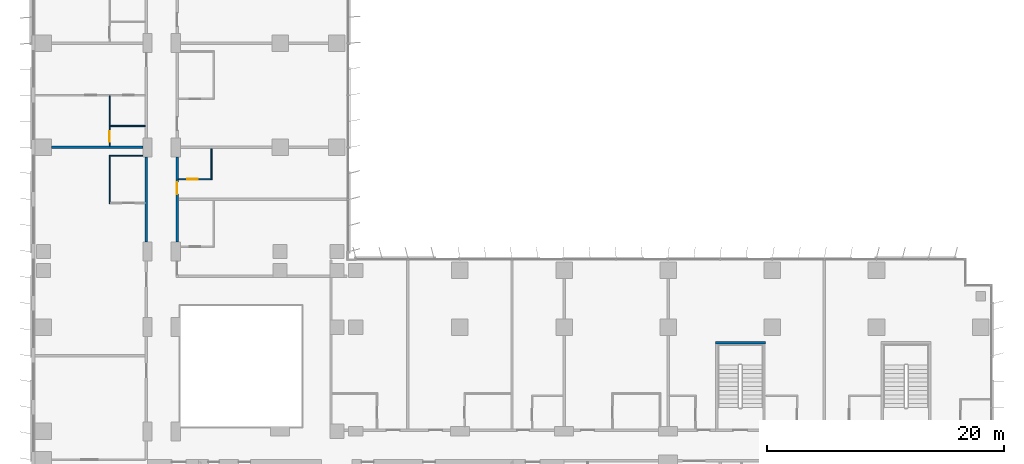
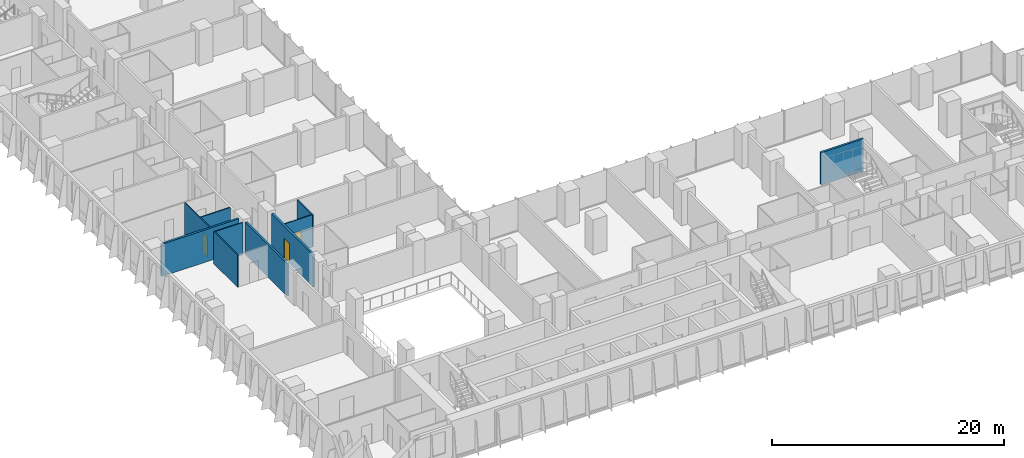
# One storey, part 15 of 24: 10 walls, 3 doors, 3 openings.
"""IFC4 building model written with IfcOpenShell, lengths in metres."""

from ifc_helpers import new_model, si_unit, direction, frame, frame_2d, origin, place, context, subcontext, project, spatial, rectangle, extrude, material, layer, layer_set, type_object, element, fill, save


model = new_model("IFC4")

# Units and contexts
model_context = context("Model", 3, precision=1e-05, world=origin(), true_north=direction((0.0, 1.0)))
body_context = subcontext(model_context, "Body", "Model", "MODEL_VIEW")
ifc_project = project(units=[si_unit("LENGTHUNIT", "METRE"), si_unit("AREAUNIT", "SQUARE_METRE"), si_unit("VOLUMEUNIT", "CUBIC_METRE"), si_unit("PLANEANGLEUNIT", "RADIAN"), si_unit("MASSUNIT", "GRAM", prefix="KILO")], contexts=[model_context])

# Site, building, storey
site_placement = place(None, origin())
site = spatial("IfcSite", under=ifc_project, at=site_placement, CompositionType="ELEMENT")
building_placement = place(site_placement, origin())
building = spatial("IfcBuilding", under=site, at=building_placement, Name="Kemantara Hotel Tower", CompositionType="ELEMENT")
storey_placement = place(building_placement, frame((0.0, 0.0, 76.0)))
storey = spatial("IfcBuildingStorey", under=building, at=storey_placement, Name="L17", CompositionType="ELEMENT", Elevation=76.0)

# Wall
ifc_material_1 = material(Name="Gypsum board partition, steel studs and mineral wool, 200 mm", Category="steel")
ifc_layer_1 = layer(ifc_material_1, 0.199951171875)
ifc_layer_set_1 = layer_set([ifc_layer_1], Name="Gypsum board partition, steel studs and mineral wool, 200 mm")
wall_type_1 = type_object("IfcWallType", Name="CORRIDOR WALL 200", PredefinedType="PARTITIONING", material=ifc_layer_set_1)
wall_1_placement = place(storey_placement, frame((9.699951171875, 28.2001953125, 0.0), z_axis=(0.0, 0.0, 1.0), x_axis=(0.0, 1.0, 0.0)))
element("IfcWall", 1, at=wall_1_placement, inside=storey, type_object=wall_type_1, Name="CORRIDOR WALL 200 028", PredefinedType="PARTITIONING", context=body_context, shape_type="SweptSolid", body=[
    extrude(rectangle(XDim=7.19970703125, YDim=0.199951171875, at=frame_2d((3.599853515625, 0.0))), origin(), (0.0, 0.0, 1.0), 3.39990234375),
])

# Wall, opening, door
wall_2_placement = place(storey_placement, frame((12.300048828125, 35.39990234375, 0.0), z_axis=(0.0, 0.0, 1.0), x_axis=(0.0, -1.0, 0.0)))
wall_2 = element("IfcWall", 2, at=wall_2_placement, inside=storey, type_object=wall_type_1, Name="CORRIDOR WALL 200 045", PredefinedType="PARTITIONING", context=body_context, shape_type="SweptSolid", body=[
    extrude(rectangle(XDim=7.19970703125, YDim=0.199951171875, at=frame_2d((3.599853515625, 0.0))), origin(), (0.0, 0.0, 1.0), 3.39990234375),
])
opening_1_placement = place(wall_2_placement, frame((2.14990234375, 0.0, 0.0)))
opening_1 = element("IfcOpeningElement", 3, at=opening_1_placement, cuts=wall_2, Name="Opening F06-054", PredefinedType="OPENING", context=body_context, shape_type="SweptSolid", body=[
    extrude(rectangle(XDim=1.0, YDim=2.10009765625, at=frame_2d((0.5, 1.050048828125))), frame((0.0, 0.10986328125, 0.0), z_axis=(0.0, -1.0, 0.0), x_axis=(1.0, 0.0, 0.0)), (0.0, 0.0, 1.0), 0.219970703125),
])
ifc_material_2 = material(Name="Hardwood veneer door leaf with steel frame", Category="steel")
door_type_1 = type_object("IfcDoorType", Name="GUEST ROOM DOOR 1000 X 2100 FD30S", OperationType="NOTDEFINED", PredefinedType="DOOR", material=ifc_material_2)
door_1_placement = place(opening_1_placement, origin())
door_1 = element("IfcDoor", 4, at=door_1_placement, inside=storey, type_object=door_type_1, Name="GUEST ROOM DOOR F06-054", OperationType="SINGLE_SWING_RIGHT", OverallHeight=2.10009765625, OverallWidth=1.0, PredefinedType="DOOR", context=body_context, shape_type="SweptSolid", body=[
    extrude(rectangle(XDim=1.0, YDim=2.10009765625, at=frame_2d((0.5, 1.050048828125))), frame((0.0, 0.02490234375, 0.0), z_axis=(0.0, -1.0, 0.0), x_axis=(1.0, 0.0, 0.0)), (0.0, 0.0, 1.0), 0.050048828125),
])
fill(opening_1, door_1)

# Walls
ifc_material_3 = material(Name="Concrete fc 40 MPa", Category="concrete")
ifc_layer_2 = layer(ifc_material_3, 0.199951171875)
ifc_layer_set_2 = layer_set([ifc_layer_2], Name="Concrete fc 40 MPa")
wall_type_2 = type_object("IfcWallType", Name="Concrete stair wall 200 mm", PredefinedType="SHEAR", material=ifc_layer_set_2)
wall_3_placement = place(storey_placement, frame((57.800048828125, 19.699951171875, 0.0), z_axis=(0.0, 0.0, 1.0), x_axis=(1.0, 0.0, 0.0)))
element("IfcWall", 5, at=wall_3_placement, inside=storey, type_object=wall_type_2, Name="Stair ST3 enclosure wall N", PredefinedType="SHEAR", context=body_context, shape_type="SweptSolid", body=[
    extrude(rectangle(XDim=4.199951171875, YDim=0.199951171875, at=frame_2d((2.10009765625, 0.0))), origin(), (0.0, 0.0, 1.0), 3.39990234375),
])
ifc_layer_3 = layer(ifc_material_1, 0.199951171875)
ifc_layer_set_3 = layer_set([ifc_layer_3], Name="Gypsum board partition, steel studs and mineral wool, 200 mm")
wall_type_3 = type_object("IfcWallType", Name="GUEST ROOM PARTY WALL 200", PredefinedType="PARTITIONING", material=ifc_layer_set_3)
wall_4_placement = place(storey_placement, frame((1.7001953125, 36.199951171875, 0.0), z_axis=(0.0, 0.0, 1.0), x_axis=(1.0, 0.0, 0.0)))
element("IfcWall", 6, at=wall_4_placement, inside=storey, type_object=wall_type_3, Name="GUEST ROOM PARTY WALL 200 035", PredefinedType="PARTITIONING", context=body_context, shape_type="SweptSolid", body=[
    extrude(rectangle(XDim=7.69970703125, YDim=0.199951171875, at=frame_2d((3.849853515625, 0.0))), origin(), (0.0, 0.0, 1.0), 3.39990234375),
])
ifc_material_4 = material(Name="Gypsum board partition on steel studs, 100 mm", Category="steel")
ifc_layer_4 = layer(ifc_material_4, 0.10009765625)
ifc_layer_set_4 = layer_set([ifc_layer_4], Name="Gypsum board partition on steel studs, 100 mm")
wall_type_4 = type_object("IfcWallType", Name="ROOM PARTITION 100", PredefinedType="PARTITIONING", material=ifc_layer_set_4)
wall_5_placement = place(storey_placement, frame((6.60009765625, 31.449951171875, 0.0), z_axis=(0.0, 0.0, 1.0), x_axis=(0.0, 1.0, 0.0)))
element("IfcWall", 7, at=wall_5_placement, inside=storey, type_object=wall_type_4, Name="ROOM PARTITION 100 091", PredefinedType="PARTITIONING", context=body_context, shape_type="SweptSolid", body=[
    extrude(rectangle(XDim=4.10009765625, YDim=0.10009765625, at=frame_2d((2.050048828125, 0.0))), origin(), (0.0, 0.0, 1.0), 3.39990234375),
])

# Wall, opening, door
wall_6_placement = place(storey_placement, frame((6.60009765625, 40.550048828125, 0.0), z_axis=(0.0, 0.0, 1.0), x_axis=(0.0, -1.0, 0.0)))
wall_6 = element("IfcWall", 8, at=wall_6_placement, inside=storey, type_object=wall_type_4, Name="ROOM PARTITION 100 092", PredefinedType="PARTITIONING", context=body_context, shape_type="SweptSolid", body=[
    extrude(rectangle(XDim=4.25, YDim=0.10009765625, at=frame_2d((2.125, 0.0))), origin(), (0.0, 0.0, 1.0), 3.39990234375),
])
opening_2_placement = place(wall_6_placement, frame((3.0, 0.0, 0.0)))
opening_2 = element("IfcOpeningElement", 9, at=opening_2_placement, cuts=wall_6, Name="Opening F06-039", PredefinedType="OPENING", context=body_context, shape_type="SweptSolid", body=[
    extrude(rectangle(XDim=0.89990234375, YDim=2.10009765625, at=frame_2d((0.449951171875, 1.050048828125))), frame((0.0, 0.06005859375, 0.0), z_axis=(0.0, -1.0, 0.0), x_axis=(1.0, 0.0, 0.0)), (0.0, 0.0, 1.0), 0.1201171875),
])
door_type_2 = type_object("IfcDoorType", Name="BATHROOM DOOR 900 X 2100", OperationType="NOTDEFINED", PredefinedType="DOOR", material=ifc_material_2)
door_2_placement = place(opening_2_placement, origin())
door_2 = element("IfcDoor", 10, at=door_2_placement, inside=storey, type_object=door_type_2, Name="BATHROOM DOOR F06-039", OperationType="SINGLE_SWING_LEFT", OverallHeight=2.10009765625, OverallWidth=0.89990234375, PredefinedType="DOOR", context=body_context, shape_type="SweptSolid", body=[
    extrude(rectangle(XDim=0.89990234375, YDim=2.10009765625, at=frame_2d((0.449951171875, 1.050048828125))), frame((0.0, 0.02490234375, 0.0), z_axis=(0.0, -1.0, 0.0), x_axis=(1.0, 0.0, 0.0)), (0.0, 0.0, 1.0), 0.050048828125),
])
fill(opening_2, door_2)

# Walls
wall_7_placement = place(storey_placement, frame((6.64990234375, 35.5, 0.0), z_axis=(0.0, 0.0, 1.0), x_axis=(1.0, 0.0, 0.0)))
element("IfcWall", 11, at=wall_7_placement, inside=storey, type_object=wall_type_4, Name="ROOM PARTITION 100 096", PredefinedType="PARTITIONING", context=body_context, shape_type="SweptSolid", body=[
    extrude(rectangle(XDim=2.75, YDim=0.10009765625, at=frame_2d((1.375, 0.0))), origin(), (0.0, 0.0, 1.0), 3.39990234375),
])
wall_8_placement = place(storey_placement, frame((6.64990234375, 38.0, 0.0), z_axis=(0.0, 0.0, 1.0), x_axis=(1.0, 0.0, 0.0)))
element("IfcWall", 12, at=wall_8_placement, inside=storey, type_object=wall_type_4, Name="ROOM PARTITION 100 098", PredefinedType="PARTITIONING", context=body_context, shape_type="SweptSolid", body=[
    extrude(rectangle(XDim=2.9501953125, YDim=0.10009765625, at=frame_2d((1.47509765625, 0.0))), origin(), (0.0, 0.0, 1.0), 3.39990234375),
])
wall_9_placement = place(storey_placement, frame((15.199951171875, 33.449951171875, 0.0), z_axis=(0.0, 0.0, 1.0), x_axis=(0.0, 1.0, 0.0)))
element("IfcWall", 13, at=wall_9_placement, inside=storey, type_object=wall_type_4, Name="ROOM PARTITION 100 111", PredefinedType="PARTITIONING", context=body_context, shape_type="SweptSolid", body=[
    extrude(rectangle(XDim=2.650146484375, YDim=0.10009765625, at=frame_2d((1.3251953125, 0.0))), origin(), (0.0, 0.0, 1.0), 3.39990234375),
])

# Wall, opening, door
wall_10_placement = place(storey_placement, frame((12.39990234375, 33.5, 0.0), z_axis=(0.0, 0.0, 1.0), x_axis=(1.0, 0.0, 0.0)))
wall_10 = element("IfcWall", 14, at=wall_10_placement, inside=storey, type_object=wall_type_4, Name="ROOM PARTITION 100 113", PredefinedType="PARTITIONING", context=body_context, shape_type="SweptSolid", body=[
    extrude(rectangle(XDim=2.75, YDim=0.10009765625, at=frame_2d((1.375, 0.0))), origin(), (0.0, 0.0, 1.0), 3.39990234375),
])
opening_3_placement = place(wall_10_placement, frame((0.75, 0.0, 0.0)))
opening_3 = element("IfcOpeningElement", 15, at=opening_3_placement, cuts=wall_10, Name="Opening F06-055", PredefinedType="OPENING", context=body_context, shape_type="SweptSolid", body=[
    extrude(rectangle(XDim=0.89990234375, YDim=2.10009765625, at=frame_2d((0.449951171875, 1.050048828125))), frame((0.0, 0.06005859375, 0.0), z_axis=(0.0, -1.0, 0.0), x_axis=(1.0, 0.0, 0.0)), (0.0, 0.0, 1.0), 0.1201171875),
])
door_3_placement = place(opening_3_placement, origin())
door_3 = element("IfcDoor", 16, at=door_3_placement, inside=storey, type_object=door_type_2, Name="BATHROOM DOOR F06-055", OperationType="SINGLE_SWING_LEFT", OverallHeight=2.10009765625, OverallWidth=0.89990234375, PredefinedType="DOOR", context=body_context, shape_type="SweptSolid", body=[
    extrude(rectangle(XDim=0.89990234375, YDim=2.10009765625, at=frame_2d((0.449951171875, 1.050048828125))), frame((0.0, 0.02490234375, 0.0), z_axis=(0.0, -1.0, 0.0), x_axis=(1.0, 0.0, 0.0)), (0.0, 0.0, 1.0), 0.050048828125),
])
fill(opening_3, door_3)

save(model, "model.ifc")
